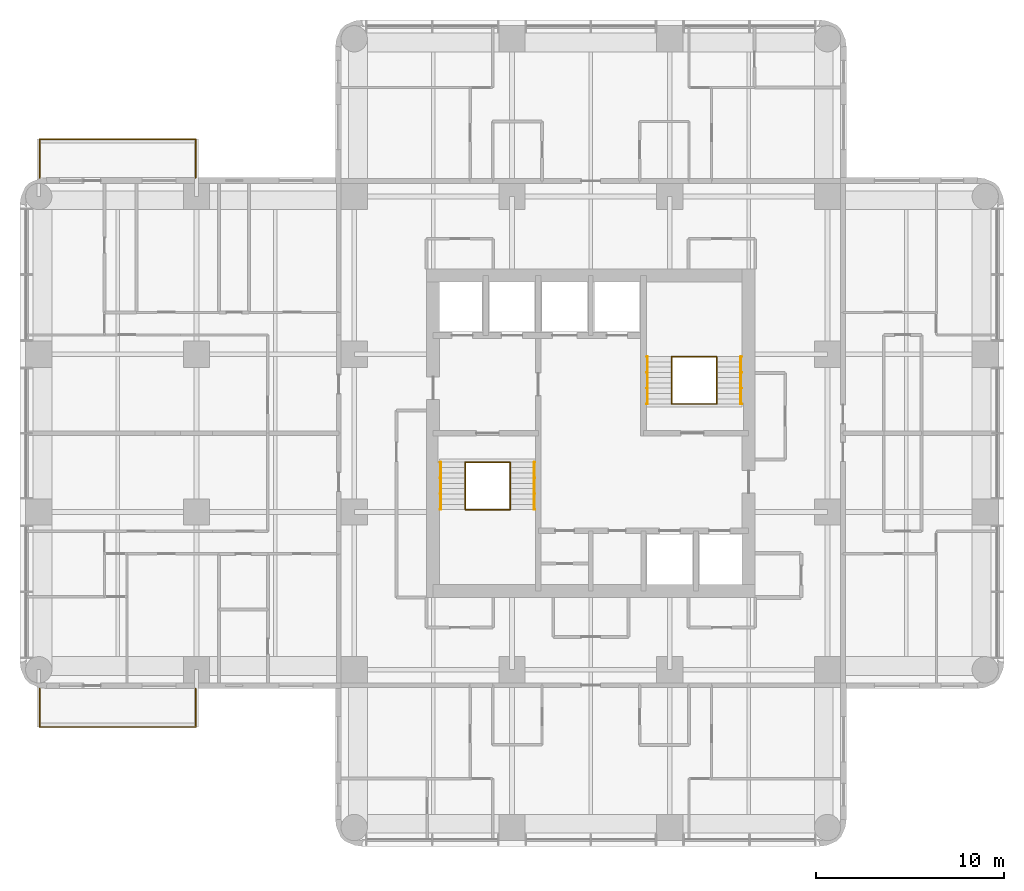
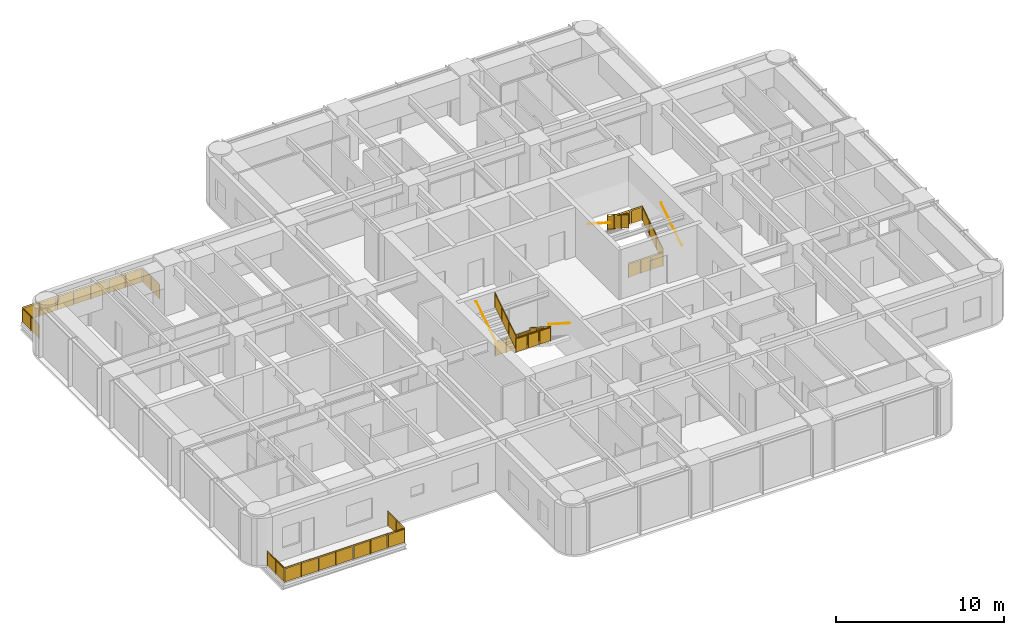
# One storey, part 11 of 11: 14 railings.
"""IFC4 building model written with IfcOpenShell, lengths in metres."""

from ifc_helpers import new_model, si_unit, direction, frame, origin, origin_2d, place, context, subcontext, project, spatial, polyline, circle, outline, extrude, material, constituent, constituent_set, type_object, element, save


model = new_model("IFC4")

# Units and contexts
model_context = context("Model", 3, precision=1e-05, world=origin(), true_north=direction((0.0, 1.0)))
body_context = subcontext(model_context, "Body", "Model", "MODEL_VIEW")
ifc_project = project(units=[si_unit("LENGTHUNIT", "METRE"), si_unit("AREAUNIT", "SQUARE_METRE"), si_unit("VOLUMEUNIT", "CUBIC_METRE"), si_unit("PLANEANGLEUNIT", "RADIAN"), si_unit("MASSUNIT", "GRAM", prefix="KILO")], contexts=[model_context])

# Site, building, storey
site_placement = place(None, origin())
site = spatial("IfcSite", under=ifc_project, at=site_placement, CompositionType="ELEMENT")
building_placement = place(site_placement, origin())
building = spatial("IfcBuilding", under=site, at=building_placement, Name="Torre Alcanfor", CompositionType="ELEMENT")
storey_placement = place(building_placement, frame((0.0, 0.0, 197.699951171875)))
storey = spatial("IfcBuildingStorey", under=building, at=storey_placement, Name="L51", CompositionType="ELEMENT", Elevation=197.699951171875)

# Railings
ifc_material_1 = material(Name="Laminated safety glass", Category="glass")
ifc_constituent_1 = constituent(ifc_material_1, Name="Infill")
ifc_material_2 = material(Name="Stainless steel ASTM A554 Grade MT 316L tube", Category="steel")
ifc_constituent_2 = constituent(ifc_material_2, Name="Posts and rail")
ifc_constituent_set = constituent_set(constituents=[ifc_constituent_1, ifc_constituent_2], Name="Balcony guard glass 1100")
railing_type_1 = type_object("IfcRailingType", Name="Balcony guard glass 1100", PredefinedType="BALUSTRADE", material=ifc_constituent_set)
railing_1_placement = place(storey_placement, frame((8.35009765625, 15.800048828125, 0.0)))
element("IfcRailing", 1, at=railing_1_placement, inside=storey, type_object=railing_type_1, Name="Balcony guard L51-W1", PredefinedType="BALUSTRADE", context=body_context, shape_type="SweptSolid", body=[
    extrude(circle(Radius=0.02392578125, at=origin_2d()), frame((0.0, 0.0, 1.076171875), z_axis=(0.0, -1.0, 0.0), x_axis=(1.0, 0.0, 0.0)), (0.0, 0.0, 1.0), 2.050048828125),
    extrude(circle(Radius=0.02392578125, at=origin_2d()), frame((0.0, -2.050048828125, 1.076171875), z_axis=(-1.0, 0.0, 0.0), x_axis=(0.0, -1.0, 0.0)), (0.0, 0.0, 1.0), 8.300048828125),
    extrude(circle(Radius=0.02392578125, at=origin_2d()), frame((-8.300048828125, -2.050048828125, 1.076171875), z_axis=(0.0, 1.0, 0.0), x_axis=(-1.0, 0.0, 0.0)), (0.0, 0.0, 1.0), 2.050048828125),
    extrude(circle(Radius=0.02099609375, at=origin_2d()), origin(), (0.0, 0.0, 1.0), 1.052001953125),
    extrude(circle(Radius=0.02099609375, at=origin_2d()), frame((0.0, -1.02490234375, 0.0)), (0.0, 0.0, 1.0), 1.052001953125),
    extrude(circle(Radius=0.02099609375, at=origin_2d()), frame((0.0, -2.050048828125, 0.0)), (0.0, 0.0, 1.0), 1.052001953125),
    extrude(circle(Radius=0.02099609375, at=origin_2d()), frame((-1.185791015625, -2.050048828125, 0.0)), (0.0, 0.0, 1.0), 1.052001953125),
    extrude(circle(Radius=0.02099609375, at=origin_2d()), frame((-2.371337890625, -2.050048828125, 0.0)), (0.0, 0.0, 1.0), 1.052001953125),
    extrude(circle(Radius=0.02099609375, at=origin_2d()), frame((-3.55712890625, -2.050048828125, 0.0)), (0.0, 0.0, 1.0), 1.052001953125),
    extrude(circle(Radius=0.02099609375, at=origin_2d()), frame((-4.742919921875, -2.050048828125, 0.0)), (0.0, 0.0, 1.0), 1.052001953125),
    extrude(circle(Radius=0.02099609375, at=origin_2d()), frame((-5.9287109375, -2.050048828125, 0.0)), (0.0, 0.0, 1.0), 1.052001953125),
    extrude(circle(Radius=0.02099609375, at=origin_2d()), frame((-7.1142578125, -2.050048828125, 0.0)), (0.0, 0.0, 1.0), 1.052001953125),
    extrude(circle(Radius=0.02099609375, at=origin_2d()), frame((-8.300048828125, -2.050048828125, 0.0)), (0.0, 0.0, 1.0), 1.052001953125),
    extrude(circle(Radius=0.02099609375, at=origin_2d()), frame((-8.300048828125, -1.02490234375, 0.0)), (0.0, 0.0, 1.0), 1.052001953125),
    extrude(circle(Radius=0.02099609375, at=origin_2d()), frame((-8.300048828125, 0.0, 0.0)), (0.0, 0.0, 1.0), 1.052001953125),
    extrude(outline(polyline([(0.041015625, 0.050048828125), (0.984130859375, 0.050048828125), (0.984130859375, 1.001953125), (0.041015625, 1.001953125), (0.041015625, 0.050048828125)])), frame((0.005859375, 0.0, 0.0), z_axis=(-1.0, 0.0, 0.0), x_axis=(0.0, -1.0, 0.0)), (0.0, 0.0, 1.0), 0.011962890625),
    extrude(outline(polyline([(1.06591796875, 0.050048828125), (2.009033203125, 0.050048828125), (2.009033203125, 1.001953125), (1.06591796875, 1.001953125), (1.06591796875, 0.050048828125)])), frame((0.005859375, 0.0, 0.0), z_axis=(-1.0, 0.0, 0.0), x_axis=(0.0, -1.0, 0.0)), (0.0, 0.0, 1.0), 0.011962890625),
    extrude(outline(polyline([(0.041015625, 0.050048828125), (1.144775390625, 0.050048828125), (1.144775390625, 1.001953125), (0.041015625, 1.001953125), (0.041015625, 0.050048828125)])), frame((0.0, -2.05615234375, 0.0), z_axis=(0.0, 1.0, 0.0), x_axis=(-1.0, 0.0, 0.0)), (0.0, 0.0, 1.0), 0.011962890625),
    extrude(outline(polyline([(1.226806640625, 0.050048828125), (2.330322265625, 0.050048828125), (2.330322265625, 1.001953125), (1.226806640625, 1.001953125), (1.226806640625, 0.050048828125)])), frame((0.0, -2.05615234375, 0.0), z_axis=(0.0, 1.0, 0.0), x_axis=(-1.0, 0.0, 0.0)), (0.0, 0.0, 1.0), 0.011962890625),
    extrude(outline(polyline([(2.412353515625, 0.050048828125), (3.51611328125, 0.050048828125), (3.51611328125, 1.001953125), (2.412353515625, 1.001953125), (2.412353515625, 0.050048828125)])), frame((0.0, -2.05615234375, 0.0), z_axis=(0.0, 1.0, 0.0), x_axis=(-1.0, 0.0, 0.0)), (0.0, 0.0, 1.0), 0.011962890625),
    extrude(outline(polyline([(3.59814453125, 0.050048828125), (4.701904296875, 0.050048828125), (4.701904296875, 1.001953125), (3.59814453125, 1.001953125), (3.59814453125, 0.050048828125)])), frame((0.0, -2.05615234375, 0.0), z_axis=(0.0, 1.0, 0.0), x_axis=(-1.0, 0.0, 0.0)), (0.0, 0.0, 1.0), 0.011962890625),
    extrude(outline(polyline([(4.783935546875, 0.050048828125), (5.8876953125, 0.050048828125), (5.8876953125, 1.001953125), (4.783935546875, 1.001953125), (4.783935546875, 0.050048828125)])), frame((0.0, -2.05615234375, 0.0), z_axis=(0.0, 1.0, 0.0), x_axis=(-1.0, 0.0, 0.0)), (0.0, 0.0, 1.0), 0.011962890625),
    extrude(outline(polyline([(5.9697265625, 0.050048828125), (7.0732421875, 0.050048828125), (7.0732421875, 1.001953125), (5.9697265625, 1.001953125), (5.9697265625, 0.050048828125)])), frame((0.0, -2.05615234375, 0.0), z_axis=(0.0, 1.0, 0.0), x_axis=(-1.0, 0.0, 0.0)), (0.0, 0.0, 1.0), 0.011962890625),
    extrude(outline(polyline([(7.1552734375, 0.050048828125), (8.259033203125, 0.050048828125), (8.259033203125, 1.001953125), (7.1552734375, 1.001953125), (7.1552734375, 0.050048828125)])), frame((0.0, -2.05615234375, 0.0), z_axis=(0.0, 1.0, 0.0), x_axis=(-1.0, 0.0, 0.0)), (0.0, 0.0, 1.0), 0.011962890625),
    extrude(outline(polyline([(0.041015625, 0.050048828125), (0.984130859375, 0.050048828125), (0.984130859375, 1.001953125), (0.041015625, 1.001953125), (0.041015625, 0.050048828125)])), frame((-8.30615234375, -2.050048828125, 0.0), z_axis=(1.0, 0.0, 0.0), x_axis=(0.0, 1.0, 0.0)), (0.0, 0.0, 1.0), 0.011962890625),
    extrude(outline(polyline([(1.06591796875, 0.050048828125), (2.009033203125, 0.050048828125), (2.009033203125, 1.001953125), (1.06591796875, 1.001953125), (1.06591796875, 0.050048828125)])), frame((-8.30615234375, -2.050048828125, 0.0), z_axis=(1.0, 0.0, 0.0), x_axis=(0.0, 1.0, 0.0)), (0.0, 0.0, 1.0), 0.011962890625),
])
railing_2_placement = place(storey_placement, frame((8.35009765625, 43.0, 0.0)))
element("IfcRailing", 2, at=railing_2_placement, inside=storey, type_object=railing_type_1, Name="Balcony guard L51-W2", PredefinedType="BALUSTRADE", context=body_context, shape_type="SweptSolid", body=[
    extrude(circle(Radius=0.02392578125, at=origin_2d()), frame((0.0, 0.0, 1.076171875), z_axis=(0.0, 1.0, 0.0), x_axis=(-1.0, 0.0, 0.0)), (0.0, 0.0, 1.0), 2.050048828125),
    extrude(circle(Radius=0.02392578125, at=origin_2d()), frame((0.0, 2.050048828125, 1.076171875), z_axis=(-1.0, 0.0, 0.0), x_axis=(0.0, -1.0, 0.0)), (0.0, 0.0, 1.0), 8.300048828125),
    extrude(circle(Radius=0.02392578125, at=origin_2d()), frame((-8.300048828125, 2.050048828125, 1.076171875), z_axis=(0.0, -1.0, 0.0), x_axis=(1.0, 0.0, 0.0)), (0.0, 0.0, 1.0), 2.050048828125),
    extrude(circle(Radius=0.02099609375, at=origin_2d()), origin(), (0.0, 0.0, 1.0), 1.052001953125),
    extrude(circle(Radius=0.02099609375, at=origin_2d()), frame((0.0, 1.02490234375, 0.0)), (0.0, 0.0, 1.0), 1.052001953125),
    extrude(circle(Radius=0.02099609375, at=origin_2d()), frame((0.0, 2.050048828125, 0.0)), (0.0, 0.0, 1.0), 1.052001953125),
    extrude(circle(Radius=0.02099609375, at=origin_2d()), frame((-1.185791015625, 2.050048828125, 0.0)), (0.0, 0.0, 1.0), 1.052001953125),
    extrude(circle(Radius=0.02099609375, at=origin_2d()), frame((-2.371337890625, 2.050048828125, 0.0)), (0.0, 0.0, 1.0), 1.052001953125),
    extrude(circle(Radius=0.02099609375, at=origin_2d()), frame((-3.55712890625, 2.050048828125, 0.0)), (0.0, 0.0, 1.0), 1.052001953125),
    extrude(circle(Radius=0.02099609375, at=origin_2d()), frame((-4.742919921875, 2.050048828125, 0.0)), (0.0, 0.0, 1.0), 1.052001953125),
    extrude(circle(Radius=0.02099609375, at=origin_2d()), frame((-5.9287109375, 2.050048828125, 0.0)), (0.0, 0.0, 1.0), 1.052001953125),
    extrude(circle(Radius=0.02099609375, at=origin_2d()), frame((-7.1142578125, 2.050048828125, 0.0)), (0.0, 0.0, 1.0), 1.052001953125),
    extrude(circle(Radius=0.02099609375, at=origin_2d()), frame((-8.300048828125, 2.050048828125, 0.0)), (0.0, 0.0, 1.0), 1.052001953125),
    extrude(circle(Radius=0.02099609375, at=origin_2d()), frame((-8.300048828125, 1.02490234375, 0.0)), (0.0, 0.0, 1.0), 1.052001953125),
    extrude(circle(Radius=0.02099609375, at=origin_2d()), frame((-8.300048828125, 0.0, 0.0)), (0.0, 0.0, 1.0), 1.052001953125),
    extrude(outline(polyline([(0.041015625, 0.050048828125), (0.984130859375, 0.050048828125), (0.984130859375, 1.001953125), (0.041015625, 1.001953125), (0.041015625, 0.050048828125)])), frame((-0.005859375, 0.0, 0.0), z_axis=(1.0, 0.0, 0.0), x_axis=(0.0, 1.0, 0.0)), (0.0, 0.0, 1.0), 0.011962890625),
    extrude(outline(polyline([(1.06591796875, 0.050048828125), (2.009033203125, 0.050048828125), (2.009033203125, 1.001953125), (1.06591796875, 1.001953125), (1.06591796875, 0.050048828125)])), frame((-0.005859375, 0.0, 0.0), z_axis=(1.0, 0.0, 0.0), x_axis=(0.0, 1.0, 0.0)), (0.0, 0.0, 1.0), 0.011962890625),
    extrude(outline(polyline([(0.041015625, 0.050048828125), (1.144775390625, 0.050048828125), (1.144775390625, 1.001953125), (0.041015625, 1.001953125), (0.041015625, 0.050048828125)])), frame((0.0, 2.0439453125, 0.0), z_axis=(0.0, 1.0, 0.0), x_axis=(-1.0, 0.0, 0.0)), (0.0, 0.0, 1.0), 0.011962890625),
    extrude(outline(polyline([(1.226806640625, 0.050048828125), (2.330322265625, 0.050048828125), (2.330322265625, 1.001953125), (1.226806640625, 1.001953125), (1.226806640625, 0.050048828125)])), frame((0.0, 2.0439453125, 0.0), z_axis=(0.0, 1.0, 0.0), x_axis=(-1.0, 0.0, 0.0)), (0.0, 0.0, 1.0), 0.011962890625),
    extrude(outline(polyline([(2.412353515625, 0.050048828125), (3.51611328125, 0.050048828125), (3.51611328125, 1.001953125), (2.412353515625, 1.001953125), (2.412353515625, 0.050048828125)])), frame((0.0, 2.0439453125, 0.0), z_axis=(0.0, 1.0, 0.0), x_axis=(-1.0, 0.0, 0.0)), (0.0, 0.0, 1.0), 0.011962890625),
    extrude(outline(polyline([(3.59814453125, 0.050048828125), (4.701904296875, 0.050048828125), (4.701904296875, 1.001953125), (3.59814453125, 1.001953125), (3.59814453125, 0.050048828125)])), frame((0.0, 2.0439453125, 0.0), z_axis=(0.0, 1.0, 0.0), x_axis=(-1.0, 0.0, 0.0)), (0.0, 0.0, 1.0), 0.011962890625),
    extrude(outline(polyline([(4.783935546875, 0.050048828125), (5.8876953125, 0.050048828125), (5.8876953125, 1.001953125), (4.783935546875, 1.001953125), (4.783935546875, 0.050048828125)])), frame((0.0, 2.0439453125, 0.0), z_axis=(0.0, 1.0, 0.0), x_axis=(-1.0, 0.0, 0.0)), (0.0, 0.0, 1.0), 0.011962890625),
    extrude(outline(polyline([(5.9697265625, 0.050048828125), (7.0732421875, 0.050048828125), (7.0732421875, 1.001953125), (5.9697265625, 1.001953125), (5.9697265625, 0.050048828125)])), frame((0.0, 2.0439453125, 0.0), z_axis=(0.0, 1.0, 0.0), x_axis=(-1.0, 0.0, 0.0)), (0.0, 0.0, 1.0), 0.011962890625),
    extrude(outline(polyline([(7.1552734375, 0.050048828125), (8.259033203125, 0.050048828125), (8.259033203125, 1.001953125), (7.1552734375, 1.001953125), (7.1552734375, 0.050048828125)])), frame((0.0, 2.0439453125, 0.0), z_axis=(0.0, 1.0, 0.0), x_axis=(-1.0, 0.0, 0.0)), (0.0, 0.0, 1.0), 0.011962890625),
    extrude(outline(polyline([(0.041015625, 0.050048828125), (0.984130859375, 0.050048828125), (0.984130859375, 1.001953125), (0.041015625, 1.001953125), (0.041015625, 0.050048828125)])), frame((-8.2939453125, 2.050048828125, 0.0), z_axis=(-1.0, 0.0, 0.0), x_axis=(0.0, -1.0, 0.0)), (0.0, 0.0, 1.0), 0.011962890625),
    extrude(outline(polyline([(1.06591796875, 0.050048828125), (2.009033203125, 0.050048828125), (2.009033203125, 1.001953125), (1.06591796875, 1.001953125), (1.06591796875, 0.050048828125)])), frame((-8.2939453125, 2.050048828125, 0.0), z_axis=(-1.0, 0.0, 0.0), x_axis=(0.0, -1.0, 0.0)), (0.0, 0.0, 1.0), 0.011962890625),
])
ifc_material_3 = material(Name="Steel ASTM A500 Grade C hollow sections", Category="steel")
railing_type_2 = type_object("IfcRailingType", Name="Stair guard and handrail 1100", PredefinedType="GUARDRAIL", material=ifc_material_3)
railing_3_placement = place(storey_placement, frame((25.10009765625, 27.85009765625, 0.179931640625)))
element("IfcRailing", 3, at=railing_3_placement, inside=storey, type_object=railing_type_2, Name="Stair guard S1 L51 flight 1", PredefinedType="GUARDRAIL", context=body_context, shape_type="SweptSolid", body=[
    extrude(circle(Radius=0.02392578125, at=origin_2d()), frame((0.0, 0.0, 1.076171875), z_axis=(0.0, -0.841162588446, 0.540782303519), x_axis=(1.0, 0.0, 0.0)), (0.0, 0.0, 1.0), 2.995849609375),
    extrude(circle(Radius=0.02099609375, at=origin_2d()), origin(), (0.0, 0.0, 1.0), 1.052001953125),
    extrude(circle(Radius=0.02099609375, at=origin_2d()), frame((0.0, -0.840087890625, 0.5400390625)), (0.0, 0.0, 1.0), 1.052001953125),
    extrude(circle(Radius=0.02099609375, at=origin_2d()), frame((0.0, -1.679931640625, 1.080078125)), (0.0, 0.0, 1.0), 1.052001953125),
    extrude(circle(Radius=0.02099609375, at=origin_2d()), frame((0.0, -2.52001953125, 1.6201171875)), (0.0, 0.0, 1.0), 1.052001953125),
    extrude(outline(polyline([(0.041015625, 0.076416015625), (0.799072265625, 0.563720703125), (0.799072265625, 1.515625), (0.041015625, 1.0283203125), (0.041015625, 0.076416015625)])), frame((0.005859375, 0.0, 0.0), z_axis=(-1.0, 0.0, 0.0), x_axis=(0.0, -1.0, 0.0)), (0.0, 0.0, 1.0), 0.011962890625),
    extrude(outline(polyline([(0.881103515625, 0.616455078125), (1.638916015625, 1.103759765625), (1.638916015625, 2.0556640625), (0.881103515625, 1.568359375), (0.881103515625, 0.616455078125)])), frame((0.005859375, 0.0, 0.0), z_axis=(-1.0, 0.0, 0.0), x_axis=(0.0, -1.0, 0.0)), (0.0, 0.0, 1.0), 0.011962890625),
    extrude(outline(polyline([(1.720947265625, 1.156494140625), (2.47900390625, 1.643798828125), (2.47900390625, 2.595703125), (1.720947265625, 2.1083984375), (1.720947265625, 1.156494140625)])), frame((0.005859375, 0.0, 0.0), z_axis=(-1.0, 0.0, 0.0), x_axis=(0.0, -1.0, 0.0)), (0.0, 0.0, 1.0), 0.011962890625),
])
railing_4_placement = place(storey_placement, frame((22.699951171875, 25.330078125, 1.97998046875)))
element("IfcRailing", 4, at=railing_4_placement, inside=storey, type_object=railing_type_2, Name="Stair guard S1 L51 flight 2", PredefinedType="GUARDRAIL", context=body_context, shape_type="SweptSolid", body=[
    extrude(circle(Radius=0.02392578125, at=origin_2d()), frame((0.0, 0.0, 1.076171875), z_axis=(0.0, 0.841162588446, 0.540782303519), x_axis=(-1.0, 0.0, 0.0)), (0.0, 0.0, 1.0), 2.995849609375),
    extrude(circle(Radius=0.02099609375, at=origin_2d()), origin(), (0.0, 0.0, 1.0), 1.052001953125),
    extrude(circle(Radius=0.02099609375, at=origin_2d()), frame((0.0, 0.840087890625, 0.5400390625)), (0.0, 0.0, 1.0), 1.052001953125),
    extrude(circle(Radius=0.02099609375, at=origin_2d()), frame((0.0, 1.679931640625, 1.080078125)), (0.0, 0.0, 1.0), 1.052001953125),
    extrude(circle(Radius=0.02099609375, at=origin_2d()), frame((0.0, 2.52001953125, 1.6201171875)), (0.0, 0.0, 1.0), 1.052001953125),
    extrude(outline(polyline([(0.041015625, 0.076416015625), (0.799072265625, 0.563720703125), (0.799072265625, 1.515625), (0.041015625, 1.0283203125), (0.041015625, 0.076416015625)])), frame((-0.005859375, 0.0, 0.0), z_axis=(1.0, 0.0, 0.0), x_axis=(0.0, 1.0, 0.0)), (0.0, 0.0, 1.0), 0.011962890625),
    extrude(outline(polyline([(0.881103515625, 0.616455078125), (1.638916015625, 1.103759765625), (1.638916015625, 2.0556640625), (0.881103515625, 1.568359375), (0.881103515625, 0.616455078125)])), frame((-0.005859375, 0.0, 0.0), z_axis=(1.0, 0.0, 0.0), x_axis=(0.0, 1.0, 0.0)), (0.0, 0.0, 1.0), 0.011962890625),
    extrude(outline(polyline([(1.720947265625, 1.156494140625), (2.47900390625, 1.643798828125), (2.47900390625, 2.595703125), (1.720947265625, 2.1083984375), (1.720947265625, 1.156494140625)])), frame((-0.005859375, 0.0, 0.0), z_axis=(1.0, 0.0, 0.0), x_axis=(0.0, 1.0, 0.0)), (0.0, 0.0, 1.0), 0.011962890625),
])
for number, where, name in (
    (5, (22.699951171875, 27.85009765625, 0.0), "Stair well guard S1 L51 floor landing"),
    (6, (22.699951171875, 25.330078125, 1.800048828125), "Stair well guard S1 L51 half landing"),
):
    element("IfcRailing", number, at=place(storey_placement, frame(where)), inside=storey, type_object=railing_type_2, Name=name, PredefinedType="GUARDRAIL", context=body_context, shape_type="SweptSolid", body=[
        extrude(circle(Radius=0.02392578125, at=origin_2d()), frame((0.0, 0.0, 1.076171875), z_axis=(1.0, 0.0, 0.0), x_axis=(0.0, 1.0, 0.0)), (0.0, 0.0, 1.0), 2.400146484375),
        extrude(circle(Radius=0.02099609375, at=origin_2d()), origin(), (0.0, 0.0, 1.0), 1.052001953125),
        extrude(circle(Radius=0.02099609375, at=origin_2d()), frame((0.800048828125, 0.0, 0.0)), (0.0, 0.0, 1.0), 1.052001953125),
        extrude(circle(Radius=0.02099609375, at=origin_2d()), frame((1.60009765625, 0.0, 0.0)), (0.0, 0.0, 1.0), 1.052001953125),
        extrude(circle(Radius=0.02099609375, at=origin_2d()), frame((2.400146484375, 0.0, 0.0)), (0.0, 0.0, 1.0), 1.052001953125),
        extrude(outline(polyline([(0.041015625, 0.050048828125), (0.759033203125, 0.050048828125), (0.759033203125, 1.001953125), (0.041015625, 1.001953125), (0.041015625, 0.050048828125)])), frame((0.0, 0.005859375, 0.0), z_axis=(0.0, -1.0, 0.0), x_axis=(1.0, 0.0, 0.0)), (0.0, 0.0, 1.0), 0.011962890625),
        extrude(outline(polyline([(0.841064453125, 0.050048828125), (1.55908203125, 0.050048828125), (1.55908203125, 1.001953125), (0.841064453125, 1.001953125), (0.841064453125, 0.050048828125)])), frame((0.0, 0.005859375, 0.0), z_axis=(0.0, -1.0, 0.0), x_axis=(1.0, 0.0, 0.0)), (0.0, 0.0, 1.0), 0.011962890625),
        extrude(outline(polyline([(1.64111328125, 0.050048828125), (2.359130859375, 0.050048828125), (2.359130859375, 1.001953125), (1.64111328125, 1.001953125), (1.64111328125, 0.050048828125)])), frame((0.0, 0.005859375, 0.0), z_axis=(0.0, -1.0, 0.0), x_axis=(1.0, 0.0, 0.0)), (0.0, 0.0, 1.0), 0.011962890625),
    ])
railing_5_placement = place(storey_placement, frame((36.10009765625, 30.949951171875, 0.179931640625)))
element("IfcRailing", 7, at=railing_5_placement, inside=storey, type_object=railing_type_2, Name="Stair guard S2 L51 flight 1", PredefinedType="GUARDRAIL", context=body_context, shape_type="SweptSolid", body=[
    extrude(circle(Radius=0.02392578125, at=origin_2d()), frame((0.0, 0.0, 1.076171875), z_axis=(0.0, 0.841162588446, 0.540782303519), x_axis=(-1.0, 0.0, 0.0)), (0.0, 0.0, 1.0), 2.995849609375),
    extrude(circle(Radius=0.02099609375, at=origin_2d()), origin(), (0.0, 0.0, 1.0), 1.052001953125),
    extrude(circle(Radius=0.02099609375, at=origin_2d()), frame((0.0, 0.840087890625, 0.5400390625)), (0.0, 0.0, 1.0), 1.052001953125),
    extrude(circle(Radius=0.02099609375, at=origin_2d()), frame((0.0, 1.679931640625, 1.080078125)), (0.0, 0.0, 1.0), 1.052001953125),
    extrude(circle(Radius=0.02099609375, at=origin_2d()), frame((0.0, 2.52001953125, 1.6201171875)), (0.0, 0.0, 1.0), 1.052001953125),
    extrude(outline(polyline([(0.041015625, 0.076416015625), (0.799072265625, 0.563720703125), (0.799072265625, 1.515625), (0.041015625, 1.0283203125), (0.041015625, 0.076416015625)])), frame((-0.005859375, 0.0, 0.0), z_axis=(1.0, 0.0, 0.0), x_axis=(0.0, 1.0, 0.0)), (0.0, 0.0, 1.0), 0.011962890625),
    extrude(outline(polyline([(0.881103515625, 0.616455078125), (1.638916015625, 1.103759765625), (1.638916015625, 2.0556640625), (0.881103515625, 1.568359375), (0.881103515625, 0.616455078125)])), frame((-0.005859375, 0.0, 0.0), z_axis=(1.0, 0.0, 0.0), x_axis=(0.0, 1.0, 0.0)), (0.0, 0.0, 1.0), 0.011962890625),
    extrude(outline(polyline([(1.720947265625, 1.156494140625), (2.47900390625, 1.643798828125), (2.47900390625, 2.595703125), (1.720947265625, 2.1083984375), (1.720947265625, 1.156494140625)])), frame((-0.005859375, 0.0, 0.0), z_axis=(1.0, 0.0, 0.0), x_axis=(0.0, 1.0, 0.0)), (0.0, 0.0, 1.0), 0.011962890625),
])
railing_6_placement = place(storey_placement, frame((33.699951171875, 33.469970703125, 1.97998046875)))
element("IfcRailing", 8, at=railing_6_placement, inside=storey, type_object=railing_type_2, Name="Stair guard S2 L51 flight 2", PredefinedType="GUARDRAIL", context=body_context, shape_type="SweptSolid", body=[
    extrude(circle(Radius=0.02392578125, at=origin_2d()), frame((0.0, 0.0, 1.076171875), z_axis=(0.0, -0.841162588446, 0.540782303519), x_axis=(1.0, 0.0, 0.0)), (0.0, 0.0, 1.0), 2.995849609375),
    extrude(circle(Radius=0.02099609375, at=origin_2d()), origin(), (0.0, 0.0, 1.0), 1.052001953125),
    extrude(circle(Radius=0.02099609375, at=origin_2d()), frame((0.0, -0.840087890625, 0.5400390625)), (0.0, 0.0, 1.0), 1.052001953125),
    extrude(circle(Radius=0.02099609375, at=origin_2d()), frame((0.0, -1.679931640625, 1.080078125)), (0.0, 0.0, 1.0), 1.052001953125),
    extrude(circle(Radius=0.02099609375, at=origin_2d()), frame((0.0, -2.52001953125, 1.6201171875)), (0.0, 0.0, 1.0), 1.052001953125),
    extrude(outline(polyline([(0.041015625, 0.076416015625), (0.799072265625, 0.563720703125), (0.799072265625, 1.515625), (0.041015625, 1.0283203125), (0.041015625, 0.076416015625)])), frame((0.005859375, 0.0, 0.0), z_axis=(-1.0, 0.0, 0.0), x_axis=(0.0, -1.0, 0.0)), (0.0, 0.0, 1.0), 0.011962890625),
    extrude(outline(polyline([(0.881103515625, 0.616455078125), (1.638916015625, 1.103759765625), (1.638916015625, 2.0556640625), (0.881103515625, 1.568359375), (0.881103515625, 0.616455078125)])), frame((0.005859375, 0.0, 0.0), z_axis=(-1.0, 0.0, 0.0), x_axis=(0.0, -1.0, 0.0)), (0.0, 0.0, 1.0), 0.011962890625),
    extrude(outline(polyline([(1.720947265625, 1.156494140625), (2.47900390625, 1.643798828125), (2.47900390625, 2.595703125), (1.720947265625, 2.1083984375), (1.720947265625, 1.156494140625)])), frame((0.005859375, 0.0, 0.0), z_axis=(-1.0, 0.0, 0.0), x_axis=(0.0, -1.0, 0.0)), (0.0, 0.0, 1.0), 0.011962890625),
])
for number, where, name in (
    (9, (33.699951171875, 30.949951171875, 0.0), "Stair well guard S2 L51 floor landing"),
    (10, (33.699951171875, 33.469970703125, 1.800048828125), "Stair well guard S2 L51 half landing"),
):
    element("IfcRailing", number, at=place(storey_placement, frame(where)), inside=storey, type_object=railing_type_2, Name=name, PredefinedType="GUARDRAIL", context=body_context, shape_type="SweptSolid", body=[
        extrude(circle(Radius=0.02392578125, at=origin_2d()), frame((0.0, 0.0, 1.076171875), z_axis=(1.0, 0.0, 0.0), x_axis=(0.0, 1.0, 0.0)), (0.0, 0.0, 1.0), 2.400146484375),
        extrude(circle(Radius=0.02099609375, at=origin_2d()), origin(), (0.0, 0.0, 1.0), 1.052001953125),
        extrude(circle(Radius=0.02099609375, at=origin_2d()), frame((0.800048828125, 0.0, 0.0)), (0.0, 0.0, 1.0), 1.052001953125),
        extrude(circle(Radius=0.02099609375, at=origin_2d()), frame((1.60009765625, 0.0, 0.0)), (0.0, 0.0, 1.0), 1.052001953125),
        extrude(circle(Radius=0.02099609375, at=origin_2d()), frame((2.400146484375, 0.0, 0.0)), (0.0, 0.0, 1.0), 1.052001953125),
        extrude(outline(polyline([(0.041015625, 0.050048828125), (0.759033203125, 0.050048828125), (0.759033203125, 1.001953125), (0.041015625, 1.001953125), (0.041015625, 0.050048828125)])), frame((0.0, 0.005859375, 0.0), z_axis=(0.0, -1.0, 0.0), x_axis=(1.0, 0.0, 0.0)), (0.0, 0.0, 1.0), 0.011962890625),
        extrude(outline(polyline([(0.841064453125, 0.050048828125), (1.55908203125, 0.050048828125), (1.55908203125, 1.001953125), (0.841064453125, 1.001953125), (0.841064453125, 0.050048828125)])), frame((0.0, 0.005859375, 0.0), z_axis=(0.0, -1.0, 0.0), x_axis=(1.0, 0.0, 0.0)), (0.0, 0.0, 1.0), 0.011962890625),
        extrude(outline(polyline([(1.64111328125, 0.050048828125), (2.359130859375, 0.050048828125), (2.359130859375, 1.001953125), (1.64111328125, 1.001953125), (1.64111328125, 0.050048828125)])), frame((0.0, 0.005859375, 0.0), z_axis=(0.0, -1.0, 0.0), x_axis=(1.0, 0.0, 0.0)), (0.0, 0.0, 1.0), 0.011962890625),
    ])
ifc_material_4 = material(Name="Steel ASTM A500 Grade C hollow sections", Category="steel")
railing_type_3 = type_object("IfcRailingType", Name="Stair wall handrail 900", PredefinedType="HANDRAIL", material=ifc_material_4)
railing_7_placement = place(storey_placement, frame((26.385009765625, 27.85009765625, 0.179931640625)))
element("IfcRailing", 11, at=railing_7_placement, inside=storey, type_object=railing_type_3, Name="Stair handrail S1 L51 flight 1", PredefinedType="HANDRAIL", context=body_context, shape_type="SweptSolid", body=[
    extrude(circle(Radius=0.02392578125, at=origin_2d()), frame((0.0, 0.0, 0.8759765625), z_axis=(0.0, -0.841162588446, 0.540782303519), x_axis=(1.0, 0.0, 0.0)), (0.0, 0.0, 1.0), 2.995849609375),
    extrude(circle(Radius=0.008056640625, at=origin_2d()), frame((0.0, 0.0, 0.8759765625), z_axis=(1.0, 0.0, 0.0), x_axis=(0.0, 0.0, 1.0)), (0.0, 0.0, 1.0), 0.06494140625),
    extrude(circle(Radius=0.008056640625, at=origin_2d()), frame((0.0, -0.840087890625, 1.416015625), z_axis=(1.0, 0.0, 0.0), x_axis=(0.0, 0.0, 1.0)), (0.0, 0.0, 1.0), 0.06494140625),
    extrude(circle(Radius=0.008056640625, at=origin_2d()), frame((0.0, -1.679931640625, 1.9560546875), z_axis=(1.0, 0.0, 0.0), x_axis=(0.0, 0.0, 1.0)), (0.0, 0.0, 1.0), 0.06494140625),
    extrude(circle(Radius=0.008056640625, at=origin_2d()), frame((0.0, -2.52001953125, 2.49609375), z_axis=(1.0, 0.0, 0.0), x_axis=(0.0, 0.0, 1.0)), (0.0, 0.0, 1.0), 0.06494140625),
])
railing_8_placement = place(storey_placement, frame((21.4150390625, 25.330078125, 1.97998046875)))
element("IfcRailing", 12, at=railing_8_placement, inside=storey, type_object=railing_type_3, Name="Stair handrail S1 L51 flight 2", PredefinedType="HANDRAIL", context=body_context, shape_type="SweptSolid", body=[
    extrude(circle(Radius=0.02392578125, at=origin_2d()), frame((0.0, 0.0, 0.8759765625), z_axis=(0.0, 0.841162588446, 0.540782303519), x_axis=(-1.0, 0.0, 0.0)), (0.0, 0.0, 1.0), 2.995849609375),
    extrude(circle(Radius=0.008056640625, at=origin_2d()), frame((0.0, 0.0, 0.8759765625), z_axis=(-1.0, 0.0, 0.0), x_axis=(0.0, 0.0, 1.0)), (0.0, 0.0, 1.0), 0.06494140625),
    extrude(circle(Radius=0.008056640625, at=origin_2d()), frame((0.0, 0.840087890625, 1.416015625), z_axis=(-1.0, 0.0, 0.0), x_axis=(0.0, 0.0, 1.0)), (0.0, 0.0, 1.0), 0.06494140625),
    extrude(circle(Radius=0.008056640625, at=origin_2d()), frame((0.0, 1.679931640625, 1.9560546875), z_axis=(-1.0, 0.0, 0.0), x_axis=(0.0, 0.0, 1.0)), (0.0, 0.0, 1.0), 0.06494140625),
    extrude(circle(Radius=0.008056640625, at=origin_2d()), frame((0.0, 2.52001953125, 2.49609375), z_axis=(-1.0, 0.0, 0.0), x_axis=(0.0, 0.0, 1.0)), (0.0, 0.0, 1.0), 0.06494140625),
])
railing_9_placement = place(storey_placement, frame((37.385009765625, 30.949951171875, 0.179931640625)))
element("IfcRailing", 13, at=railing_9_placement, inside=storey, type_object=railing_type_3, Name="Stair handrail S2 L51 flight 1", PredefinedType="HANDRAIL", context=body_context, shape_type="SweptSolid", body=[
    extrude(circle(Radius=0.02392578125, at=origin_2d()), frame((0.0, 0.0, 0.8759765625), z_axis=(0.0, 0.841162588446, 0.540782303519), x_axis=(-1.0, 0.0, 0.0)), (0.0, 0.0, 1.0), 2.995849609375),
    extrude(circle(Radius=0.008056640625, at=origin_2d()), frame((0.0, 0.0, 0.8759765625), z_axis=(1.0, 0.0, 0.0), x_axis=(0.0, 0.0, 1.0)), (0.0, 0.0, 1.0), 0.06494140625),
    extrude(circle(Radius=0.008056640625, at=origin_2d()), frame((0.0, 0.840087890625, 1.416015625), z_axis=(1.0, 0.0, 0.0), x_axis=(0.0, 0.0, 1.0)), (0.0, 0.0, 1.0), 0.06494140625),
    extrude(circle(Radius=0.008056640625, at=origin_2d()), frame((0.0, 1.679931640625, 1.9560546875), z_axis=(1.0, 0.0, 0.0), x_axis=(0.0, 0.0, 1.0)), (0.0, 0.0, 1.0), 0.06494140625),
    extrude(circle(Radius=0.008056640625, at=origin_2d()), frame((0.0, 2.52001953125, 2.49609375), z_axis=(1.0, 0.0, 0.0), x_axis=(0.0, 0.0, 1.0)), (0.0, 0.0, 1.0), 0.06494140625),
])
railing_10_placement = place(storey_placement, frame((32.4150390625, 33.469970703125, 1.97998046875)))
element("IfcRailing", 14, at=railing_10_placement, inside=storey, type_object=railing_type_3, Name="Stair handrail S2 L51 flight 2", PredefinedType="HANDRAIL", context=body_context, shape_type="SweptSolid", body=[
    extrude(circle(Radius=0.02392578125, at=origin_2d()), frame((0.0, 0.0, 0.8759765625), z_axis=(0.0, -0.841162588446, 0.540782303519), x_axis=(1.0, 0.0, 0.0)), (0.0, 0.0, 1.0), 2.995849609375),
    extrude(circle(Radius=0.008056640625, at=origin_2d()), frame((0.0, 0.0, 0.8759765625), z_axis=(-1.0, 0.0, 0.0), x_axis=(0.0, 0.0, 1.0)), (0.0, 0.0, 1.0), 0.06494140625),
    extrude(circle(Radius=0.008056640625, at=origin_2d()), frame((0.0, -0.840087890625, 1.416015625), z_axis=(-1.0, 0.0, 0.0), x_axis=(0.0, 0.0, 1.0)), (0.0, 0.0, 1.0), 0.06494140625),
    extrude(circle(Radius=0.008056640625, at=origin_2d()), frame((0.0, -1.679931640625, 1.9560546875), z_axis=(-1.0, 0.0, 0.0), x_axis=(0.0, 0.0, 1.0)), (0.0, 0.0, 1.0), 0.06494140625),
    extrude(circle(Radius=0.008056640625, at=origin_2d()), frame((0.0, -2.52001953125, 2.49609375), z_axis=(-1.0, 0.0, 0.0), x_axis=(0.0, 0.0, 1.0)), (0.0, 0.0, 1.0), 0.06494140625),
])

save(model, "model.ifc")
